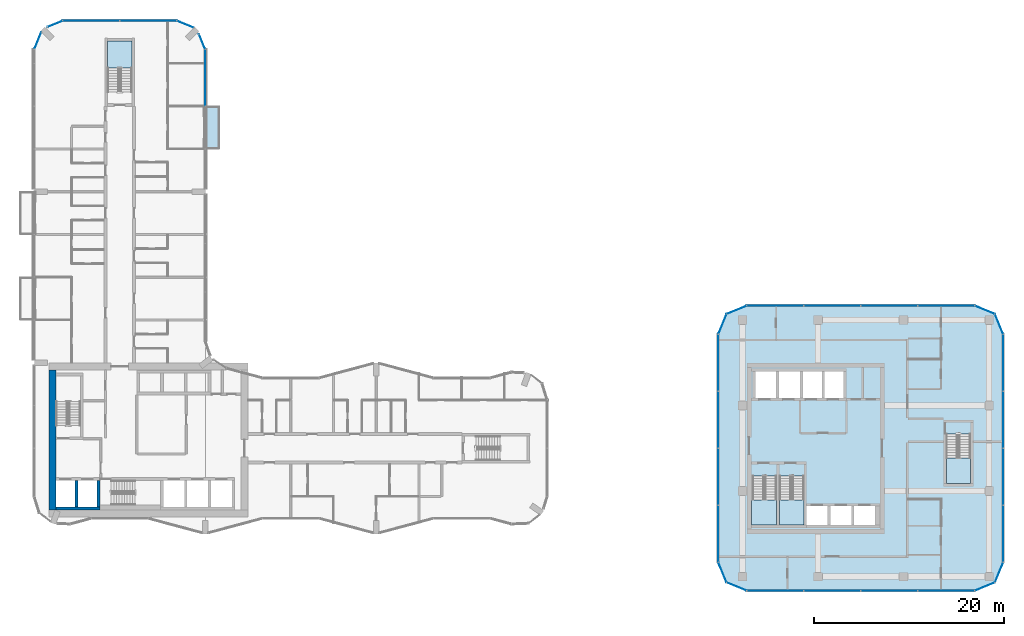
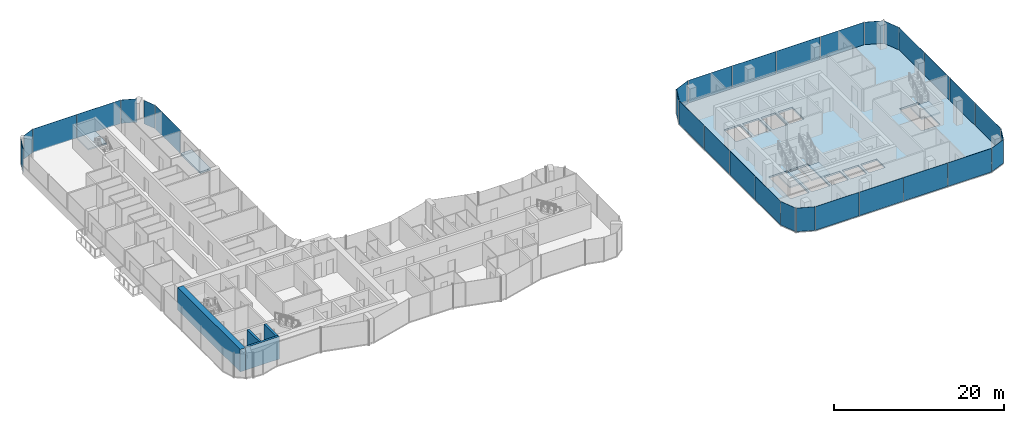
# One storey, part 13 of 24: 31 plates, 6 slabs, 4 walls, 22 elements without a shape of their own.
"""IFC4 building model written with IfcOpenShell, lengths in metres."""

from ifc_helpers import new_model, si_unit, direction, frame, frame_2d, origin, origin_2d, place, context, subcontext, project, spatial, polyline, rectangle, outline, extrude, material, layer, layer_set, type_object, element, aggregate, save


model = new_model("IFC4")

# Units and contexts
model_context = context("Model", 3, precision=1e-05, world=origin(), true_north=direction((0.0, 1.0)))
body_context = subcontext(model_context, "Body", "Model", "MODEL_VIEW")
ifc_project = project(units=[si_unit("LENGTHUNIT", "METRE"), si_unit("AREAUNIT", "SQUARE_METRE"), si_unit("VOLUMEUNIT", "CUBIC_METRE"), si_unit("PLANEANGLEUNIT", "RADIAN"), si_unit("MASSUNIT", "GRAM", prefix="KILO")], contexts=[model_context])

# Site, building, storey
site_placement = place(None, origin())
site = spatial("IfcSite", under=ifc_project, at=site_placement, CompositionType="ELEMENT")
building_placement = place(site_placement, origin())
building = spatial("IfcBuilding", under=site, at=building_placement, Name="Plateau Cross Towers", CompositionType="ELEMENT")
storey_placement = place(building_placement, frame((0.0, 0.0, 51.300048828125)))
storey = spatial("IfcBuildingStorey", under=building, at=storey_placement, Name="L12", CompositionType="ELEMENT", Elevation=51.300048828125)

# Slab
ifc_material_1 = material(Name="Concrete C40/50", Category="concrete")
ifc_layer_1 = layer(ifc_material_1, 0.25)
ifc_layer_set_1 = layer_set([ifc_layer_1], Name="Concrete C40/50")
slab_type_1 = type_object("IfcSlabType", Name="Balcony slab 250", PredefinedType="FLOOR", material=ifc_layer_set_1)
slab_1_placement = place(storey_placement, frame((0.0, 0.0, -0.25)))
element("IfcSlab", 1, at=slab_1_placement, inside=storey, type_object=slab_type_1, Name="Balcony slab A-BAL-L12-03", PredefinedType="FLOOR", context=body_context, shape_type="SweptSolid", body=[
    extrude(outline(polyline([(19.5, 40.5), (19.5, 45.0), (18.0, 45.0), (18.0, 40.5), (19.5, 40.5)])), origin(), (0.0, 0.0, 1.0), 0.25),
])

# Curtain wall, plates
ifc_material_2 = material(Name="Dark low-iron glass", Category="glass")
ifc_layer_2 = layer(ifc_material_2, 0.239990234375)
ifc_layer_set_2 = layer_set([ifc_layer_2], Name="Dark low-iron glass")
curtain_wall_type_1 = type_object("IfcCurtainWallType", Name="Curtain wall office unitised CW-F", PredefinedType="NOTDEFINED", material=ifc_layer_set_2)
curtain_wall_1_placement = place(storey_placement, origin())
curtain_wall_1 = element("IfcCurtainWall", 2, at=curtain_wall_1_placement, inside=storey, type_object=curtain_wall_type_1, Name="ENV/B/L12/B750_-60", PredefinedType="NOTDEFINED")
ifc_layer_3 = layer(ifc_material_2, 0.028076171875)
ifc_layer_set_3 = layer_set([ifc_layer_3], Name="Dark low-iron glass")
plate_type_1 = type_object("IfcPlateType", Name="Glass panel 28 office unitised", PredefinedType="CURTAIN_PANEL", material=ifc_layer_set_3)
plate_1_placement = place(storey_placement, frame((78.0, -6.0, -0.1298828125), z_axis=(0.0, 0.0, 1.0), x_axis=(1.0, 0.0, 0.0)))
plate_1 = element("IfcPlate", 3, at=plate_1_placement, type_object=plate_type_1, Name="CW-F panel 1", PredefinedType="CURTAIN_PANEL", context=body_context, shape_type="SweptSolid", body=[
    extrude(rectangle(XDim=5.93994140625, YDim=0.028076171875, at=origin_2d()), origin(), (0.0, 0.0, 1.0), 3.3798828125),
])
plate_2_placement = place(storey_placement, frame((84.0, -6.0, -0.1298828125), z_axis=(0.0, 0.0, 1.0), x_axis=(1.0, 0.0, 0.0)))
plate_2 = element("IfcPlate", 4, at=plate_2_placement, type_object=plate_type_1, Name="CW-F panel 2", PredefinedType="CURTAIN_PANEL", context=body_context, shape_type="SweptSolid", body=[
    extrude(rectangle(XDim=5.93994140625, YDim=0.028076171875, at=origin_2d()), origin(), (0.0, 0.0, 1.0), 3.3798828125),
])
plate_3_placement = place(storey_placement, frame((90.0, -6.0, -0.1298828125), z_axis=(0.0, 0.0, 1.0), x_axis=(1.0, 0.0, 0.0)))
plate_3 = element("IfcPlate", 5, at=plate_3_placement, type_object=plate_type_1, Name="CW-F panel 3", PredefinedType="CURTAIN_PANEL", context=body_context, shape_type="SweptSolid", body=[
    extrude(rectangle(XDim=5.93994140625, YDim=0.028076171875, at=origin_2d()), origin(), (0.0, 0.0, 1.0), 3.3798828125),
])
plate_4_placement = place(storey_placement, frame((96.0, -6.0, -0.1298828125), z_axis=(0.0, 0.0, 1.0), x_axis=(1.0, 0.0, 0.0)))
plate_4 = element("IfcPlate", 6, at=plate_4_placement, type_object=plate_type_1, Name="CW-F panel 4", PredefinedType="CURTAIN_PANEL", context=body_context, shape_type="SweptSolid", body=[
    extrude(rectangle(XDim=5.93994140625, YDim=0.028076171875, at=origin_2d()), origin(), (0.0, 0.0, 1.0), 3.3798828125),
])
aggregate(curtain_wall_1, [plate_1, plate_2, plate_3, plate_4])

# Curtain wall, plate
curtain_wall_2_placement = place(storey_placement, origin())
curtain_wall_2 = element("IfcCurtainWall", 7, at=curtain_wall_2_placement, inside=storey, type_object=curtain_wall_type_1, Name="ENV/B/L12/B990_-60", PredefinedType="NOTDEFINED")
plate_5_placement = place(storey_placement, frame((100.060546875, -5.560546875, -0.1298828125), z_axis=(0.0, 0.0, 1.0), x_axis=(0.923879457699, 0.382683612978, 0.0)))
plate_5 = element("IfcPlate", 8, at=plate_5_placement, type_object=plate_type_1, Name="CW-F panel 1", PredefinedType="CURTAIN_PANEL", context=body_context, shape_type="SweptSolid", body=[
    extrude(rectangle(XDim=2.236083984375, YDim=0.028076171875, at=origin_2d()), origin(), (0.0, 0.0, 1.0), 3.3798828125),
])
aggregate(curtain_wall_2, [plate_5])

curtain_wall_3_placement = place(storey_placement, origin())
curtain_wall_3 = element("IfcCurtainWall", 9, at=curtain_wall_3_placement, inside=storey, type_object=curtain_wall_type_1, Name="ENV/B/L12/B1011_-51", PredefinedType="NOTDEFINED")
plate_6_placement = place(storey_placement, frame((101.560546875, -4.060546875, -0.1298828125), z_axis=(0.0, 0.0, 1.0), x_axis=(0.382683612978, 0.923879457699, 0.0)))
plate_6 = element("IfcPlate", 10, at=plate_6_placement, type_object=plate_type_1, Name="CW-F panel 1", PredefinedType="CURTAIN_PANEL", context=body_context, shape_type="SweptSolid", body=[
    extrude(rectangle(XDim=2.236083984375, YDim=0.028076171875, at=origin_2d()), origin(), (0.0, 0.0, 1.0), 3.3798828125),
])
aggregate(curtain_wall_3, [plate_6])

# Curtain wall, plates
curtain_wall_4_placement = place(storey_placement, origin())
curtain_wall_4 = element("IfcCurtainWall", 11, at=curtain_wall_4_placement, inside=storey, type_object=curtain_wall_type_1, Name="ENV/B/L12/B1020_-30", PredefinedType="NOTDEFINED")
plate_7_placement = place(storey_placement, frame((102.0, 0.0, -0.1298828125), z_axis=(0.0, 0.0, 1.0), x_axis=(0.0, 1.0, 0.0)))
plate_7 = element("IfcPlate", 12, at=plate_7_placement, type_object=plate_type_1, Name="CW-F panel 1", PredefinedType="CURTAIN_PANEL", context=body_context, shape_type="SweptSolid", body=[
    extrude(rectangle(XDim=5.93994140625, YDim=0.028076171875, at=origin_2d()), origin(), (0.0, 0.0, 1.0), 3.3798828125),
])
plate_8_placement = place(storey_placement, frame((102.0, 6.0, -0.1298828125), z_axis=(0.0, 0.0, 1.0), x_axis=(0.0, 1.0, 0.0)))
plate_8 = element("IfcPlate", 13, at=plate_8_placement, type_object=plate_type_1, Name="CW-F panel 2", PredefinedType="CURTAIN_PANEL", context=body_context, shape_type="SweptSolid", body=[
    extrude(rectangle(XDim=5.93994140625, YDim=0.028076171875, at=origin_2d()), origin(), (0.0, 0.0, 1.0), 3.3798828125),
])
plate_9_placement = place(storey_placement, frame((102.0, 12.0, -0.1298828125), z_axis=(0.0, 0.0, 1.0), x_axis=(0.0, 1.0, 0.0)))
plate_9 = element("IfcPlate", 14, at=plate_9_placement, type_object=plate_type_1, Name="CW-F panel 3", PredefinedType="CURTAIN_PANEL", context=body_context, shape_type="SweptSolid", body=[
    extrude(rectangle(XDim=5.93994140625, YDim=0.028076171875, at=origin_2d()), origin(), (0.0, 0.0, 1.0), 3.3798828125),
])
plate_10_placement = place(storey_placement, frame((102.0, 18.0, -0.1298828125), z_axis=(0.0, 0.0, 1.0), x_axis=(0.0, 1.0, 0.0)))
plate_10 = element("IfcPlate", 15, at=plate_10_placement, type_object=plate_type_1, Name="CW-F panel 4", PredefinedType="CURTAIN_PANEL", context=body_context, shape_type="SweptSolid", body=[
    extrude(rectangle(XDim=5.93994140625, YDim=0.028076171875, at=origin_2d()), origin(), (0.0, 0.0, 1.0), 3.3798828125),
])
aggregate(curtain_wall_4, [plate_7, plate_8, plate_9, plate_10])

# Curtain wall, plate
curtain_wall_5_placement = place(storey_placement, origin())
curtain_wall_5 = element("IfcCurtainWall", 16, at=curtain_wall_5_placement, inside=storey, type_object=curtain_wall_type_1, Name="ENV/B/L12/B1020_210", PredefinedType="NOTDEFINED")
plate_11_placement = place(storey_placement, frame((101.560546875, 22.060546875, -0.1298828125), z_axis=(0.0, 0.0, 1.0), x_axis=(-0.382683612978, 0.923879457699, 0.0)))
plate_11 = element("IfcPlate", 17, at=plate_11_placement, type_object=plate_type_1, Name="CW-F panel 1", PredefinedType="CURTAIN_PANEL", context=body_context, shape_type="SweptSolid", body=[
    extrude(rectangle(XDim=2.236083984375, YDim=0.028076171875, at=origin_2d()), origin(), (0.0, 0.0, 1.0), 3.3798828125),
])
aggregate(curtain_wall_5, [plate_11])

curtain_wall_6_placement = place(storey_placement, origin())
curtain_wall_6 = element("IfcCurtainWall", 18, at=curtain_wall_6_placement, inside=storey, type_object=curtain_wall_type_1, Name="ENV/B/L12/B1011_231", PredefinedType="NOTDEFINED")
plate_12_placement = place(storey_placement, frame((100.060546875, 23.560546875, -0.1298828125), z_axis=(0.0, 0.0, 1.0), x_axis=(-0.923879457699, 0.382683612978, 0.0)))
plate_12 = element("IfcPlate", 19, at=plate_12_placement, type_object=plate_type_1, Name="CW-F panel 1", PredefinedType="CURTAIN_PANEL", context=body_context, shape_type="SweptSolid", body=[
    extrude(rectangle(XDim=2.236083984375, YDim=0.028076171875, at=origin_2d()), origin(), (0.0, 0.0, 1.0), 3.3798828125),
])
aggregate(curtain_wall_6, [plate_12])

# Curtain wall, plates
curtain_wall_7_placement = place(storey_placement, origin())
curtain_wall_7 = element("IfcCurtainWall", 20, at=curtain_wall_7_placement, inside=storey, type_object=curtain_wall_type_1, Name="ENV/B/L12/B990_240", PredefinedType="NOTDEFINED")
plate_13_placement = place(storey_placement, frame((96.0, 24.0, -0.1298828125), z_axis=(0.0, 0.0, 1.0), x_axis=(-1.0, 0.0, 0.0)))
plate_13 = element("IfcPlate", 21, at=plate_13_placement, type_object=plate_type_1, Name="CW-F panel 1", PredefinedType="CURTAIN_PANEL", context=body_context, shape_type="SweptSolid", body=[
    extrude(rectangle(XDim=5.93994140625, YDim=0.028076171875, at=origin_2d()), origin(), (0.0, 0.0, 1.0), 3.3798828125),
])
plate_14_placement = place(storey_placement, frame((90.0, 24.0, -0.1298828125), z_axis=(0.0, 0.0, 1.0), x_axis=(-1.0, 0.0, 0.0)))
plate_14 = element("IfcPlate", 22, at=plate_14_placement, type_object=plate_type_1, Name="CW-F panel 2", PredefinedType="CURTAIN_PANEL", context=body_context, shape_type="SweptSolid", body=[
    extrude(rectangle(XDim=5.93994140625, YDim=0.028076171875, at=origin_2d()), origin(), (0.0, 0.0, 1.0), 3.3798828125),
])
plate_15_placement = place(storey_placement, frame((84.0, 24.0, -0.1298828125), z_axis=(0.0, 0.0, 1.0), x_axis=(-1.0, 0.0, 0.0)))
plate_15 = element("IfcPlate", 23, at=plate_15_placement, type_object=plate_type_1, Name="CW-F panel 3", PredefinedType="CURTAIN_PANEL", context=body_context, shape_type="SweptSolid", body=[
    extrude(rectangle(XDim=5.93994140625, YDim=0.028076171875, at=origin_2d()), origin(), (0.0, 0.0, 1.0), 3.3798828125),
])
plate_16_placement = place(storey_placement, frame((78.0, 24.0, -0.1298828125), z_axis=(0.0, 0.0, 1.0), x_axis=(-1.0, 0.0, 0.0)))
plate_16 = element("IfcPlate", 24, at=plate_16_placement, type_object=plate_type_1, Name="CW-F panel 4", PredefinedType="CURTAIN_PANEL", context=body_context, shape_type="SweptSolid", body=[
    extrude(rectangle(XDim=5.93994140625, YDim=0.028076171875, at=origin_2d()), origin(), (0.0, 0.0, 1.0), 3.3798828125),
])
aggregate(curtain_wall_7, [plate_13, plate_14, plate_15, plate_16])

# Curtain wall, plate
curtain_wall_8_placement = place(storey_placement, origin())
curtain_wall_8 = element("IfcCurtainWall", 25, at=curtain_wall_8_placement, inside=storey, type_object=curtain_wall_type_1, Name="ENV/B/L12/B750_240", PredefinedType="NOTDEFINED")
plate_17_placement = place(storey_placement, frame((73.939453125, 23.560546875, -0.1298828125), z_axis=(0.0, 0.0, 1.0), x_axis=(-0.923879457699, -0.382683612978, 0.0)))
plate_17 = element("IfcPlate", 26, at=plate_17_placement, type_object=plate_type_1, Name="CW-F panel 1", PredefinedType="CURTAIN_PANEL", context=body_context, shape_type="SweptSolid", body=[
    extrude(rectangle(XDim=2.236083984375, YDim=0.028076171875, at=origin_2d()), origin(), (0.0, 0.0, 1.0), 3.3798828125),
])
aggregate(curtain_wall_8, [plate_17])

curtain_wall_9_placement = place(storey_placement, origin())
curtain_wall_9 = element("IfcCurtainWall", 27, at=curtain_wall_9_placement, inside=storey, type_object=curtain_wall_type_1, Name="ENV/B/L12/B729_231", PredefinedType="NOTDEFINED")
plate_18_placement = place(storey_placement, frame((72.439453125, 22.060546875, -0.1298828125), z_axis=(0.0, 0.0, 1.0), x_axis=(-0.382683612978, -0.923879457699, 0.0)))
plate_18 = element("IfcPlate", 28, at=plate_18_placement, type_object=plate_type_1, Name="CW-F panel 1", PredefinedType="CURTAIN_PANEL", context=body_context, shape_type="SweptSolid", body=[
    extrude(rectangle(XDim=2.236083984375, YDim=0.028076171875, at=origin_2d()), origin(), (0.0, 0.0, 1.0), 3.3798828125),
])
aggregate(curtain_wall_9, [plate_18])

# Curtain wall, plates
curtain_wall_10_placement = place(storey_placement, origin())
curtain_wall_10 = element("IfcCurtainWall", 29, at=curtain_wall_10_placement, inside=storey, type_object=curtain_wall_type_1, Name="ENV/B/L12/B720_210", PredefinedType="NOTDEFINED")
plate_19_placement = place(storey_placement, frame((72.0, 18.0, -0.1298828125), z_axis=(0.0, 0.0, 1.0), x_axis=(0.0, -1.0, 0.0)))
plate_19 = element("IfcPlate", 30, at=plate_19_placement, type_object=plate_type_1, Name="CW-F panel 1", PredefinedType="CURTAIN_PANEL", context=body_context, shape_type="SweptSolid", body=[
    extrude(rectangle(XDim=5.93994140625, YDim=0.028076171875, at=origin_2d()), origin(), (0.0, 0.0, 1.0), 3.3798828125),
])
plate_20_placement = place(storey_placement, frame((72.0, 12.0, -0.1298828125), z_axis=(0.0, 0.0, 1.0), x_axis=(0.0, -1.0, 0.0)))
plate_20 = element("IfcPlate", 31, at=plate_20_placement, type_object=plate_type_1, Name="CW-F panel 2", PredefinedType="CURTAIN_PANEL", context=body_context, shape_type="SweptSolid", body=[
    extrude(rectangle(XDim=5.93994140625, YDim=0.028076171875, at=origin_2d()), origin(), (0.0, 0.0, 1.0), 3.3798828125),
])
plate_21_placement = place(storey_placement, frame((72.0, 6.0, -0.1298828125), z_axis=(0.0, 0.0, 1.0), x_axis=(0.0, -1.0, 0.0)))
plate_21 = element("IfcPlate", 32, at=plate_21_placement, type_object=plate_type_1, Name="CW-F panel 3", PredefinedType="CURTAIN_PANEL", context=body_context, shape_type="SweptSolid", body=[
    extrude(rectangle(XDim=5.93994140625, YDim=0.028076171875, at=origin_2d()), origin(), (0.0, 0.0, 1.0), 3.3798828125),
])
plate_22_placement = place(storey_placement, frame((72.0, 0.0, -0.1298828125), z_axis=(0.0, 0.0, 1.0), x_axis=(0.0, -1.0, 0.0)))
plate_22 = element("IfcPlate", 33, at=plate_22_placement, type_object=plate_type_1, Name="CW-F panel 4", PredefinedType="CURTAIN_PANEL", context=body_context, shape_type="SweptSolid", body=[
    extrude(rectangle(XDim=5.93994140625, YDim=0.028076171875, at=origin_2d()), origin(), (0.0, 0.0, 1.0), 3.3798828125),
])
aggregate(curtain_wall_10, [plate_19, plate_20, plate_21, plate_22])

# Curtain wall, plate
curtain_wall_11_placement = place(storey_placement, origin())
curtain_wall_11 = element("IfcCurtainWall", 34, at=curtain_wall_11_placement, inside=storey, type_object=curtain_wall_type_1, Name="ENV/B/L12/B720_-30", PredefinedType="NOTDEFINED")
plate_23_placement = place(storey_placement, frame((72.439453125, -4.060546875, -0.1298828125), z_axis=(0.0, 0.0, 1.0), x_axis=(0.382683612978, -0.923879457699, 0.0)))
plate_23 = element("IfcPlate", 35, at=plate_23_placement, type_object=plate_type_1, Name="CW-F panel 1", PredefinedType="CURTAIN_PANEL", context=body_context, shape_type="SweptSolid", body=[
    extrude(rectangle(XDim=2.236083984375, YDim=0.028076171875, at=origin_2d()), origin(), (0.0, 0.0, 1.0), 3.3798828125),
])
aggregate(curtain_wall_11, [plate_23])

curtain_wall_12_placement = place(storey_placement, origin())
curtain_wall_12 = element("IfcCurtainWall", 36, at=curtain_wall_12_placement, inside=storey, type_object=curtain_wall_type_1, Name="ENV/B/L12/B729_-51", PredefinedType="NOTDEFINED")
plate_24_placement = place(storey_placement, frame((73.939453125, -5.560546875, -0.1298828125), z_axis=(0.0, 0.0, 1.0), x_axis=(0.923879457699, -0.382683612978, 0.0)))
plate_24 = element("IfcPlate", 37, at=plate_24_placement, type_object=plate_type_1, Name="CW-F panel 1", PredefinedType="CURTAIN_PANEL", context=body_context, shape_type="SweptSolid", body=[
    extrude(rectangle(XDim=2.236083984375, YDim=0.028076171875, at=origin_2d()), origin(), (0.0, 0.0, 1.0), 3.3798828125),
])
aggregate(curtain_wall_12, [plate_24])

ifc_layer_4 = layer(ifc_material_2, 0.239990234375)
ifc_layer_set_4 = layer_set([ifc_layer_4], Name="Dark low-iron glass")
curtain_wall_type_2 = type_object("IfcCurtainWallType", Name="Curtain wall flush unitised CW-B", PredefinedType="NOTDEFINED", material=ifc_layer_set_4)
curtain_wall_13_placement = place(storey_placement, origin())
curtain_wall_13 = element("IfcCurtainWall", 38, at=curtain_wall_13_placement, inside=storey, type_object=curtain_wall_type_2, Name="ENV/A/L12/A180_450", PredefinedType="NOTDEFINED")
ifc_layer_5 = layer(ifc_material_2, 0.031982421875)
ifc_layer_set_5 = layer_set([ifc_layer_5], Name="Dark low-iron glass")
plate_type_2 = type_object("IfcPlateType", Name="Glass panel 32 flush unitised", PredefinedType="CURTAIN_PANEL", material=ifc_layer_set_5)
plate_25_placement = place(storey_placement, frame((18.0, 48.0048828125, -0.1298828125), z_axis=(0.0, 0.0, 1.0), x_axis=(0.0, 1.0, 0.0)))
plate_25 = element("IfcPlate", 39, at=plate_25_placement, type_object=plate_type_2, Name="CW-B panel 1", PredefinedType="CURTAIN_PANEL", context=body_context, shape_type="SweptSolid", body=[
    extrude(rectangle(XDim=5.929931640625, YDim=0.031982421875, at=origin_2d()), origin(), (0.0, 0.0, 1.0), 3.3798828125),
])
aggregate(curtain_wall_13, [plate_25])

curtain_wall_14_placement = place(storey_placement, origin())
curtain_wall_14 = element("IfcCurtainWall", 40, at=curtain_wall_14_placement, inside=storey, type_object=curtain_wall_type_2, Name="ENV/A/L12/A180_510", PredefinedType="NOTDEFINED")
plate_26_placement = place(storey_placement, frame((17.66943359375, 51.79833984375, -0.1298828125), z_axis=(0.0, 0.0, 1.0), x_axis=(-0.382683612978, 0.923879457699, 0.0)))
plate_26 = element("IfcPlate", 41, at=plate_26_placement, type_object=plate_type_2, Name="CW-B panel 1", PredefinedType="CURTAIN_PANEL", context=body_context, shape_type="SweptSolid", body=[
    extrude(rectangle(XDim=1.668212890625, YDim=0.031982421875, at=origin_2d()), origin(), (0.0, 0.0, 1.0), 3.3798828125),
])
aggregate(curtain_wall_14, [plate_26])

curtain_wall_15_placement = place(storey_placement, origin())
curtain_wall_15 = element("IfcCurtainWall", 42, at=curtain_wall_15_placement, inside=storey, type_object=curtain_wall_type_2, Name="ENV/A/L12/A168_533", PredefinedType="NOTDEFINED")
plate_27_placement = place(storey_placement, frame((15.90283203125, 53.6259765625, -0.1298828125), z_axis=(0.0, 0.0, 1.0), x_axis=(-0.923879457699, 0.382683612978, 0.0)))
plate_27 = element("IfcPlate", 43, at=plate_27_placement, type_object=plate_type_2, Name="CW-B panel 1", PredefinedType="CURTAIN_PANEL", context=body_context, shape_type="SweptSolid", body=[
    extrude(rectangle(XDim=1.894775390625, YDim=0.031982421875, at=origin_2d()), origin(), (0.0, 0.0, 1.0), 3.3798828125),
])
aggregate(curtain_wall_15, [plate_27])

# Curtain wall, plates
curtain_wall_16_placement = place(storey_placement, origin())
curtain_wall_16 = element("IfcCurtainWall", 44, at=curtain_wall_16_placement, inside=storey, type_object=curtain_wall_type_2, Name="ENV/A/L12/A150_540", PredefinedType="NOTDEFINED")
plate_28_placement = place(storey_placement, frame((12.0, 54.0, -0.1298828125), z_axis=(0.0, 0.0, 1.0), x_axis=(-1.0, 0.0, 0.0)))
plate_28 = element("IfcPlate", 45, at=plate_28_placement, type_object=plate_type_2, Name="CW-B panel 1", PredefinedType="CURTAIN_PANEL", context=body_context, shape_type="SweptSolid", body=[
    extrude(rectangle(XDim=5.93994140625, YDim=0.031982421875, at=origin_2d()), origin(), (0.0, 0.0, 1.0), 3.3798828125),
])
plate_29_placement = place(storey_placement, frame((6.0, 54.0, -0.1298828125), z_axis=(0.0, 0.0, 1.0), x_axis=(-1.0, 0.0, 0.0)))
plate_29 = element("IfcPlate", 46, at=plate_29_placement, type_object=plate_type_2, Name="CW-B panel 2", PredefinedType="CURTAIN_PANEL", context=body_context, shape_type="SweptSolid", body=[
    extrude(rectangle(XDim=5.93994140625, YDim=0.031982421875, at=origin_2d()), origin(), (0.0, 0.0, 1.0), 3.3798828125),
])
aggregate(curtain_wall_16, [plate_28, plate_29])

# Curtain wall, plate
curtain_wall_17_placement = place(storey_placement, origin())
curtain_wall_17 = element("IfcCurtainWall", 47, at=curtain_wall_17_placement, inside=storey, type_object=curtain_wall_type_2, Name="ENV/A/L12/A30_540", PredefinedType="NOTDEFINED")
plate_30_placement = place(storey_placement, frame((2.20166015625, 53.66943359375, -0.1298828125), z_axis=(0.0, 0.0, 1.0), x_axis=(-0.923879457699, -0.382683612978, 0.0)))
plate_30 = element("IfcPlate", 48, at=plate_30_placement, type_object=plate_type_2, Name="CW-B panel 1", PredefinedType="CURTAIN_PANEL", context=body_context, shape_type="SweptSolid", body=[
    extrude(rectangle(XDim=1.668212890625, YDim=0.031982421875, at=origin_2d()), origin(), (0.0, 0.0, 1.0), 3.3798828125),
])
aggregate(curtain_wall_17, [plate_30])

curtain_wall_18_placement = place(storey_placement, origin())
curtain_wall_18 = element("IfcCurtainWall", 49, at=curtain_wall_18_placement, inside=storey, type_object=curtain_wall_type_2, Name="ENV/A/L12/A7_528", PredefinedType="NOTDEFINED")
plate_31_placement = place(storey_placement, frame((0.3740234375, 51.90283203125, -0.1298828125), z_axis=(0.0, 0.0, 1.0), x_axis=(-0.382683612978, -0.923879457699, 0.0)))
plate_31 = element("IfcPlate", 50, at=plate_31_placement, type_object=plate_type_2, Name="CW-B panel 1", PredefinedType="CURTAIN_PANEL", context=body_context, shape_type="SweptSolid", body=[
    extrude(rectangle(XDim=1.894775390625, YDim=0.031982421875, at=origin_2d()), origin(), (0.0, 0.0, 1.0), 3.3798828125),
])
aggregate(curtain_wall_18, [plate_31])

# Slab
ifc_layer_6 = layer(ifc_material_1, 0.25)
ifc_layer_set_6 = layer_set([ifc_layer_6], Name="Concrete C40/50")
slab_type_2 = type_object("IfcSlabType", Name="Post-tensioned flat plate slab 250", PredefinedType="FLOOR", material=ifc_layer_set_6)
slab_2_placement = place(storey_placement, frame((0.0, 0.0, -0.25)))
element("IfcSlab", 51, at=slab_2_placement, inside=storey, type_object=slab_type_2, Name="SL-B-L12", PredefinedType="FLOOR", context=body_context, shape_type="SweptSolid", body=[
    extrude(outline(polyline([(72.878662109375, -5.121337890625), (72.0, -3.0), (72.0, 21.0), (72.878662109375, 23.121337890625), (75.0, 24.0), (99.0, 24.0), (101.121337890625, 23.121337890625), (102.0, 21.0), (102.0, -3.0), (101.121337890625, -5.121337890625), (99.0, -6.0), (75.0, -6.0), (72.878662109375, -5.121337890625)]), holes=[polyline([(75.60009765625, 0.89990234375), (78.14990234375, 0.89990234375), (78.14990234375, 6.10009765625), (75.60009765625, 6.10009765625), (75.60009765625, 0.89990234375)]), polyline([(78.10009765625, 14.300048828125), (78.10009765625, 17.10009765625), (75.89990234375, 17.10009765625), (75.89990234375, 14.300048828125), (78.10009765625, 14.300048828125)]), polyline([(83.5, 0.89990234375), (83.5, 2.89990234375), (81.300048828125, 2.89990234375), (81.300048828125, 0.89990234375), (83.5, 0.89990234375)]), polyline([(86.0, 0.89990234375), (86.0, 2.89990234375), (83.800048828125, 2.89990234375), (83.800048828125, 0.89990234375), (86.0, 0.89990234375)]), polyline([(88.5, 0.89990234375), (88.5, 2.89990234375), (86.300048828125, 2.89990234375), (86.300048828125, 0.89990234375), (88.5, 0.89990234375)]), polyline([(78.449951171875, 0.89990234375), (81.0, 0.89990234375), (81.0, 6.10009765625), (78.449951171875, 6.10009765625), (78.449951171875, 0.89990234375)]), polyline([(96.0, 5.300048828125), (98.550048828125, 5.300048828125), (98.550048828125, 10.5), (96.0, 10.5), (96.0, 5.300048828125)]), polyline([(80.60009765625, 14.300048828125), (80.60009765625, 17.10009765625), (78.39990234375, 17.10009765625), (78.39990234375, 14.300048828125), (80.60009765625, 14.300048828125)]), polyline([(80.89990234375, 14.300048828125), (82.89990234375, 14.300048828125), (82.89990234375, 17.10009765625), (80.89990234375, 17.10009765625), (80.89990234375, 14.300048828125)]), polyline([(83.199951171875, 14.300048828125), (85.199951171875, 14.300048828125), (85.199951171875, 17.10009765625), (83.199951171875, 17.10009765625), (83.199951171875, 14.300048828125)])]), origin(), (0.0, 0.0, 1.0), 0.25),
])

# Stair, slab
stair_type = type_object("IfcStairType", Name="ST-TWR", PredefinedType="HALF_TURN_STAIR", material=ifc_material_1)
stair_1_placement = place(storey_placement, origin())
stair_1 = element("IfcStair", 52, at=stair_1_placement, inside=storey, type_object=stair_type, Name="L12 Protected Exit Stair SB-1", PredefinedType="HALF_TURN_STAIR")
ifc_layer_7 = layer(ifc_material_1, 0.199951171875)
ifc_layer_set_7 = layer_set([ifc_layer_7], Name="Concrete C40/50")
slab_type_3 = type_object("IfcSlabType", Name="SL-LANDING", PredefinedType="LANDING", material=ifc_layer_set_7)
slab_3_placement = place(storey_placement, frame((0.0, 0.0, 1.550048828125)))
slab_3 = element("IfcSlab", 53, at=slab_3_placement, type_object=slab_type_3, Name="SB-1 landing 1", PredefinedType="LANDING", context=body_context, shape_type="SweptSolid", body=[
    extrude(outline(polyline([(75.5, 3.580078125), (75.5, 0.89990234375), (78.14990234375, 0.89990234375), (78.14990234375, 3.580078125), (75.5, 3.580078125)])), origin(), (0.0, 0.0, 1.0), 0.199951171875),
])
aggregate(stair_1, [slab_3])

stair_2_placement = place(storey_placement, origin())
stair_2 = element("IfcStair", 54, at=stair_2_placement, inside=storey, type_object=stair_type, Name="L12 Protected Exit Stair SB-2", PredefinedType="HALF_TURN_STAIR")
slab_4_placement = place(storey_placement, frame((0.0, 0.0, 1.550048828125)))
slab_4 = element("IfcSlab", 55, at=slab_4_placement, type_object=slab_type_3, Name="SB-2 landing 1", PredefinedType="LANDING", context=body_context, shape_type="SweptSolid", body=[
    extrude(outline(polyline([(78.449951171875, 3.580078125), (78.449951171875, 0.89990234375), (81.0, 0.89990234375), (81.0, 3.580078125), (78.449951171875, 3.580078125)])), origin(), (0.0, 0.0, 1.0), 0.199951171875),
])
aggregate(stair_2, [slab_4])

stair_3_placement = place(storey_placement, origin())
stair_3 = element("IfcStair", 56, at=stair_3_placement, inside=storey, type_object=stair_type, Name="L12 Protected Exit Stair SB-3", PredefinedType="HALF_TURN_STAIR")
slab_5_placement = place(storey_placement, frame((0.0, 0.0, 1.550048828125)))
slab_5 = element("IfcSlab", 57, at=slab_5_placement, type_object=slab_type_3, Name="SB-3 landing 1", PredefinedType="LANDING", context=body_context, shape_type="SweptSolid", body=[
    extrude(outline(polyline([(96.0, 7.97998046875), (96.0, 5.300048828125), (98.550048828125, 5.300048828125), (98.550048828125, 7.97998046875), (96.0, 7.97998046875)])), origin(), (0.0, 0.0, 1.0), 0.199951171875),
])
aggregate(stair_3, [slab_5])

stair_4_placement = place(storey_placement, origin())
stair_4 = element("IfcStair", 58, at=stair_4_placement, inside=storey, type_object=stair_type, Name="L12 Protected Exit Stair N", PredefinedType="HALF_TURN_STAIR")
slab_6_placement = place(storey_placement, frame((0.0, 0.0, 1.550048828125)))
slab_6 = element("IfcSlab", 59, at=slab_6_placement, type_object=slab_type_3, Name="ES-N landing 1", PredefinedType="LANDING", context=body_context, shape_type="SweptSolid", body=[
    extrude(outline(polyline([(10.27490234375, 49.02001953125), (10.27490234375, 51.85009765625), (7.72509765625, 51.85009765625), (7.72509765625, 49.02001953125), (10.27490234375, 49.02001953125)])), origin(), (0.0, 0.0, 1.0), 0.199951171875),
])
aggregate(stair_4, [slab_6])

# Walls
ifc_material_3 = material(Name="Concrete C60/75", Category="concrete")
ifc_layer_8 = layer(ifc_material_3, 0.300048828125)
ifc_layer_set_8 = layer_set([ifc_layer_8], Name="Concrete C60/75")
wall_type_1 = type_object("IfcWallType", Name="Core shaft wall 300", PredefinedType="SHEAR", material=ifc_layer_set_8)
wall_1_placement = place(storey_placement, frame((2.300048828125, 2.64990234375, 0.0), z_axis=(0.0, 0.0, 1.0), x_axis=(1.0, 0.0, 0.0)))
element("IfcWall", 60, at=wall_1_placement, inside=storey, type_object=wall_type_1, Name="A-sb-back1@L12", PredefinedType="SHEAR", context=body_context, shape_type="SweptSolid", body=[
    extrude(rectangle(XDim=4.599853515625, YDim=0.300048828125, at=frame_2d((2.2998046875, 0.0))), origin(), (0.0, 0.0, 1.0), 3.25),
])
for number, where, z_axis, x_axis, name in (
    (61, (4.449951171875, 2.800048828125, 0.0), (0.0, 0.0, 1.0), (0.0, 1.0, 0.0), "A-sb-v1@L12"),
    (62, (6.75, 2.800048828125, 0.0), (0.0, 0.0, 1.0), (0.0, 1.0, 0.0), "A-sb-v2@L12"),
):
    element("IfcWall", number, at=place(storey_placement, frame(where, z_axis=z_axis, x_axis=x_axis)), inside=storey, type_object=wall_type_1, Name=name, PredefinedType="SHEAR", context=body_context, shape_type="SweptSolid", body=[
        extrude(rectangle(XDim=2.800048828125, YDim=0.300048828125, at=frame_2d((1.39990234375, 0.0))), origin(), (0.0, 0.0, 1.0), 3.25),
    ])
ifc_layer_9 = layer(ifc_material_3, 0.75)
ifc_layer_set_9 = layer_set([ifc_layer_9], Name="Concrete C60/75")
wall_type_2 = type_object("IfcWallType", Name="Core shell wall 750", PredefinedType="SHEAR", material=ifc_layer_set_9)
wall_2_placement = place(storey_placement, frame((1.925048828125, 2.5, 0.0), z_axis=(0.0, 0.0, 1.0), x_axis=(0.0, 1.0, 0.0)))
element("IfcWall", 63, at=wall_2_placement, inside=storey, type_object=wall_type_2, Name="A-core-W@L12", PredefinedType="SHEAR", context=body_context, shape_type="SweptSolid", body=[
    extrude(rectangle(XDim=14.75, YDim=0.75, at=frame_2d((7.375, 0.0))), origin(), (0.0, 0.0, 1.0), 3.25),
])

save(model, "model.ifc")
